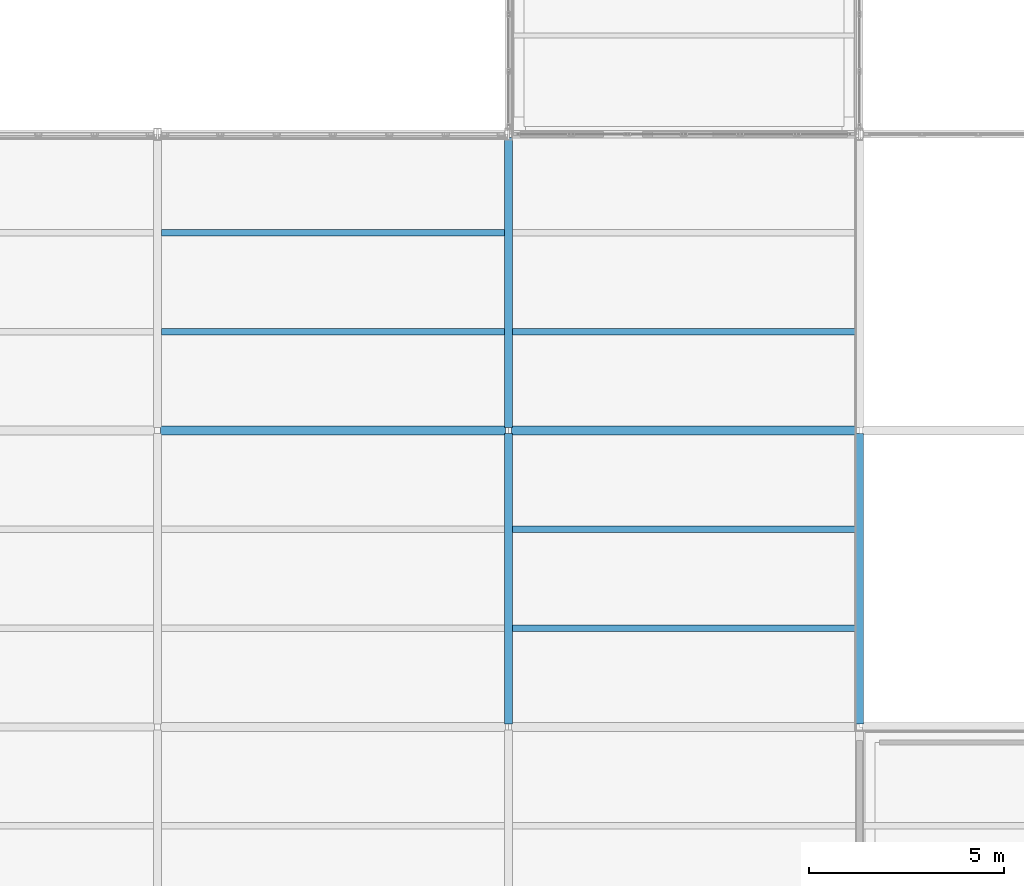
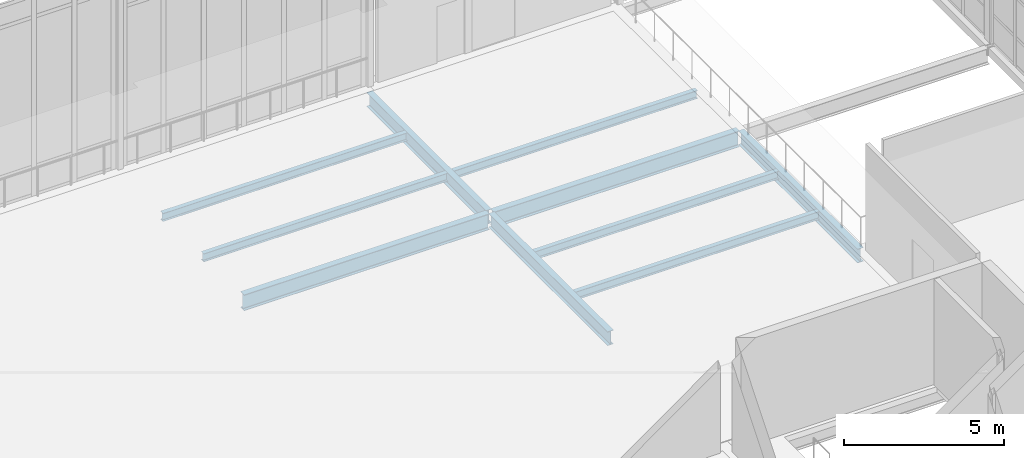
# One storey, part 53 of 166: 10 beams.
"""IFC4 building model written with IfcOpenShell, lengths in metres."""

from ifc_helpers import new_model, si_unit, direction, frame, origin, origin_2d, place, context, subcontext, project, spatial, i_section, extrude, material, material_profile, profile_set, type_object, element, save


model = new_model("IFC4")

# Units and contexts
model_context = context("Model", 3, precision=1e-05, world=origin(), true_north=direction((0.0, 1.0)))
body_context = subcontext(model_context, "Body", "Model", "MODEL_VIEW")
ifc_project = project(units=[si_unit("LENGTHUNIT", "METRE"), si_unit("AREAUNIT", "SQUARE_METRE"), si_unit("VOLUMEUNIT", "CUBIC_METRE"), si_unit("PLANEANGLEUNIT", "RADIAN"), si_unit("MASSUNIT", "GRAM", prefix="KILO")], contexts=[model_context])

# Site, building, storey
site_placement = place(None, origin())
site = spatial("IfcSite", under=ifc_project, at=site_placement, CompositionType="ELEMENT")
building_placement = place(site_placement, origin())
building = spatial("IfcBuilding", under=site, at=building_placement, Name="Caisbarro Railhouse Central Library", CompositionType="ELEMENT")
storey_placement = place(building_placement, frame((0.0, 0.0, 9.360107421875)))
storey = spatial("IfcBuildingStorey", under=building, at=storey_placement, Name="L02", CompositionType="ELEMENT", Elevation=9.360107421875)

# Beams
ifc_material = material(Name="Steel ASTM A572 Grade 50", Category="steel")
ifc_material_profile_1 = material_profile(ifc_material, i_section(OverallWidth=0.22802734375, OverallDepth=0.60791015625, WebThickness=0.01123046875, FlangeThickness=0.017333984375, FilletRadius=0.02197265625, at=origin_2d()), Name="W610X113.0")
ifc_profile_set_1 = profile_set([ifc_material_profile_1], Name="Steel ASTM A572 Grade 50")
beam_type_1 = type_object("IfcBeamType", Name="BM-G04", PredefinedType="BEAM", material=ifc_profile_set_1)
for number, where, z_axis, x_axis, name in (
    (1, (45.080078125, 53.199951171875, -0.524169921875), (1.0, 0.0, 0.0), (0.0, 1.0, 0.0), "G04 beam L02 #1377"),
    (2, (54.080078125, 53.199951171875, -0.524169921875), (1.0, 0.0, 0.0), (0.0, 1.0, 0.0), "G04 beam L02 #1378"),
):
    element("IfcBeam", number, at=place(storey_placement, frame(where, z_axis=z_axis, x_axis=x_axis)), inside=storey, type_object=beam_type_1, Name=name, PredefinedType="BEAM", context=body_context, shape_type="SweptSolid", body=[
        extrude(i_section(OverallWidth=0.22802734375, OverallDepth=0.60791015625, WebThickness=0.01123046875, FlangeThickness=0.017333984375, FilletRadius=0.02197265625, at=origin_2d()), origin(), (0.0, 0.0, 1.0), 8.83984375),
    ])
ifc_material_profile_2 = material_profile(ifc_material, i_section(OverallWidth=0.208984375, OverallDepth=0.532958984375, WebThickness=0.01025390625, FlangeThickness=0.015625, FilletRadius=0.02001953125, at=origin_2d()), Name="W530X92.0")
ifc_profile_set_2 = profile_set([ifc_material_profile_2], Name="Steel ASTM A572 Grade 50")
beam_type_2 = type_object("IfcBeamType", Name="BM-G06", PredefinedType="BEAM", material=ifc_profile_set_2)
beam_1_placement = place(storey_placement, frame((54.0, 45.679931640625, -0.486572265625), z_axis=(0.0, 1.0, 0.0), x_axis=(-1.0, 0.0, 0.0)))
element("IfcBeam", 3, at=beam_1_placement, inside=storey, type_object=beam_type_2, Name="G06 beam L02 #1410", PredefinedType="BEAM", context=body_context, shape_type="SweptSolid", body=[
    extrude(i_section(OverallWidth=0.208984375, OverallDepth=0.532958984375, WebThickness=0.01025390625, FlangeThickness=0.015625, FilletRadius=0.02001953125, at=origin_2d()), origin(), (0.0, 0.0, 1.0), 7.440185546875),
])
beam_2_placement = place(storey_placement, frame((54.0, 53.280029296875, -0.486572265625), z_axis=(0.0, 1.0, 0.0), x_axis=(-1.0, 0.0, 0.0)))
element("IfcBeam", 4, at=beam_2_placement, inside=storey, type_object=beam_type_2, Name="G06 beam L02 #1411", PredefinedType="BEAM", context=body_context, shape_type="SweptSolid", body=[
    extrude(i_section(OverallWidth=0.208984375, OverallDepth=0.532958984375, WebThickness=0.01025390625, FlangeThickness=0.015625, FilletRadius=0.02001953125, at=origin_2d()), origin(), (0.0, 0.0, 1.0), 7.43994140625),
])
beam_3_placement = place(storey_placement, frame((63.0, 45.679931640625, -0.486572265625), z_axis=(0.0, 1.0, 0.0), x_axis=(-1.0, 0.0, 0.0)))
element("IfcBeam", 5, at=beam_3_placement, inside=storey, type_object=beam_type_2, Name="G06 beam L02 #1414", PredefinedType="BEAM", context=body_context, shape_type="SweptSolid", body=[
    extrude(i_section(OverallWidth=0.208984375, OverallDepth=0.532958984375, WebThickness=0.01025390625, FlangeThickness=0.015625, FilletRadius=0.02001953125, at=origin_2d()), origin(), (0.0, 0.0, 1.0), 7.440185546875),
])
ifc_material_profile_3 = material_profile(ifc_material, i_section(OverallWidth=0.1650390625, OverallDepth=0.31005859375, WebThickness=0.005859375, FlangeThickness=0.009765625, FilletRadius=0.011962890625, at=origin_2d()), Name="W310X38.7")
ifc_profile_set_3 = profile_set([ifc_material_profile_3], Name="Steel ASTM A572 Grade 50")
beam_type_3 = type_object("IfcBeamType", Name="BM-J03", PredefinedType="JOIST", material=ifc_profile_set_3)
for number, where, z_axis, x_axis, name in (
    (6, (45.1044921875, 55.7333984375, -0.375), (1.0, 0.0, 0.0), (0.0, 1.0, 0.0), "J03 beam L02 #1464"),
    (7, (45.1044921875, 58.2666015625, -0.375), (1.0, 0.0, 0.0), (0.0, 1.0, 0.0), "J03 beam L02 #1465"),
    (8, (54.1044921875, 48.13330078125, -0.375), (1.0, 0.0, 0.0), (0.0, 1.0, 0.0), "J03 beam L02 #1468"),
    (9, (54.1044921875, 50.666748046875, -0.375), (1.0, 0.0, 0.0), (0.0, 1.0, 0.0), "J03 beam L02 #1469"),
    (10, (54.1044921875, 55.7333984375, -0.375), (1.0, 0.0, 0.0), (0.0, 1.0, 0.0), "J03 beam L02 #1470"),
):
    element("IfcBeam", number, at=place(storey_placement, frame(where, z_axis=z_axis, x_axis=x_axis)), inside=storey, type_object=beam_type_3, Name=name, PredefinedType="JOIST", context=body_context, shape_type="SweptSolid", body=[
        extrude(i_section(OverallWidth=0.1650390625, OverallDepth=0.31005859375, WebThickness=0.005859375, FlangeThickness=0.009765625, FilletRadius=0.011962890625, at=origin_2d()), origin(), (0.0, 0.0, 1.0), 8.791015625),
    ])

save(model, "model.ifc")
